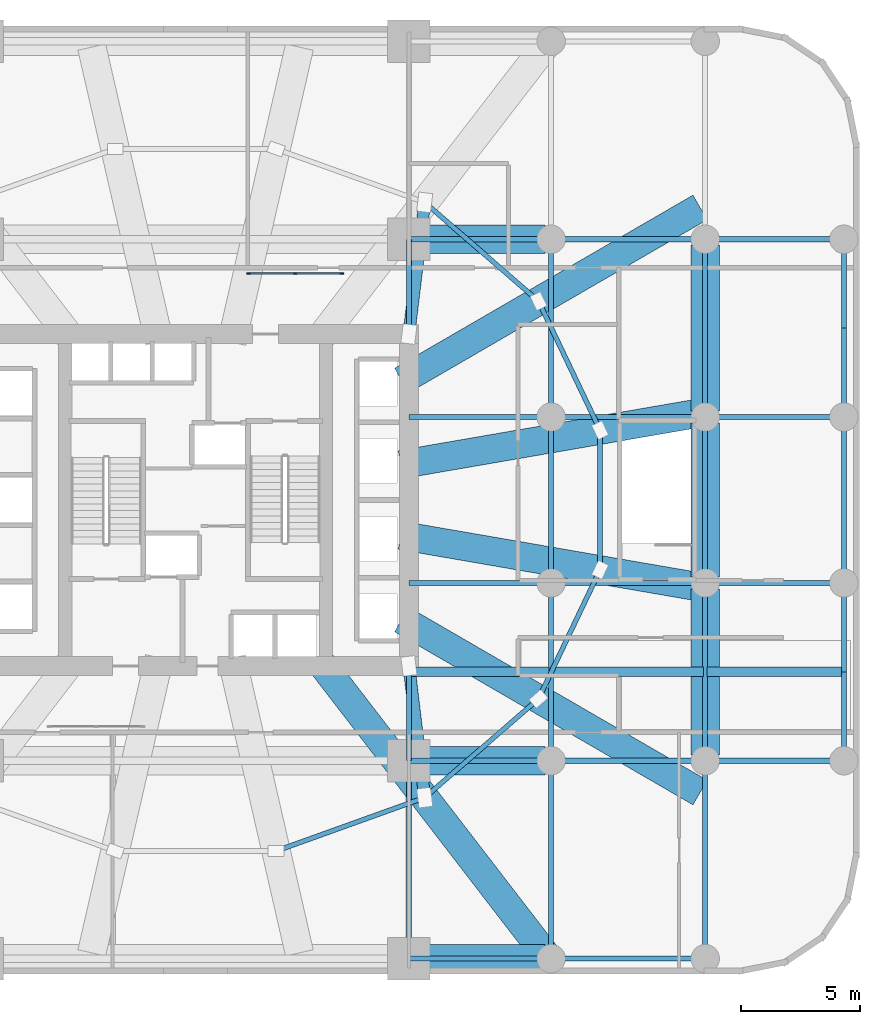
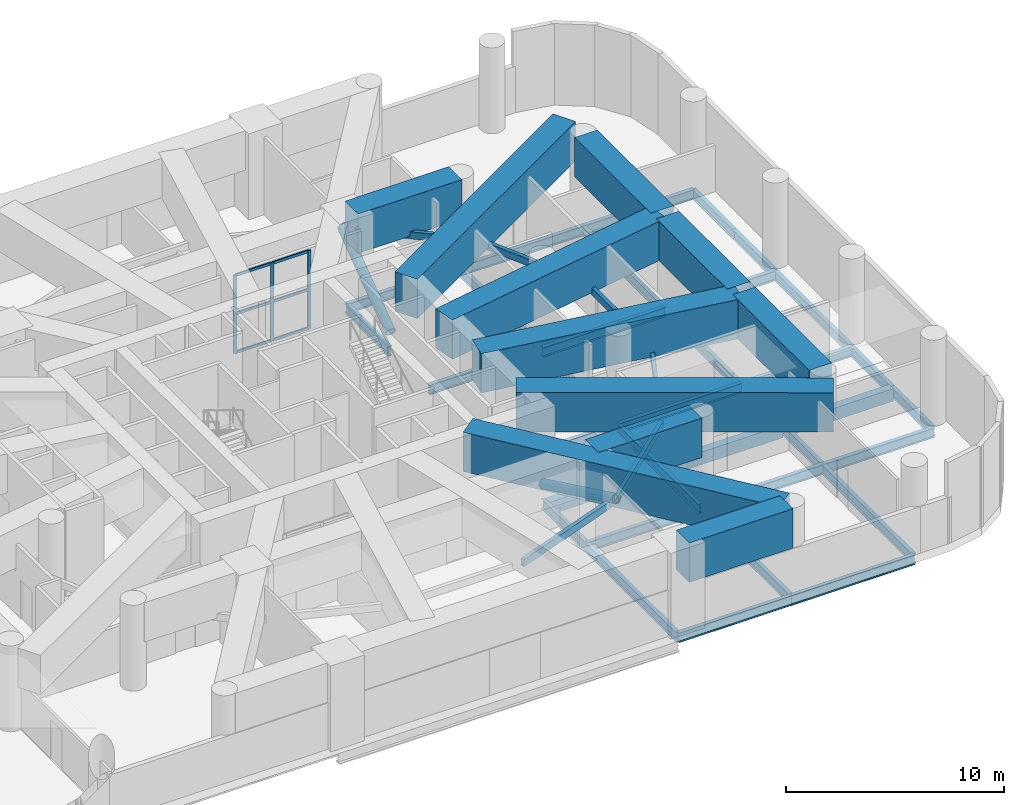
# One storey, part 4 of 10: 44 beams, 17 members, 1 element without a shape of its own.
"""IFC4 building model written with IfcOpenShell, lengths in metres."""

from ifc_helpers import new_model, si_unit, direction, frame, origin, origin_2d, place, context, subcontext, project, spatial, rectangle, hollow_rectangle, hollow_circle, i_section, extrude, material, material_profile, profile_set, type_object, element, aggregate, save


model = new_model("IFC4")

# Units and contexts
model_context = context("Model", 3, precision=1e-05, world=origin(), true_north=direction((0.0, 1.0)))
body_context = subcontext(model_context, "Body", "Model", "MODEL_VIEW")
ifc_project = project(units=[si_unit("LENGTHUNIT", "METRE"), si_unit("AREAUNIT", "SQUARE_METRE"), si_unit("VOLUMEUNIT", "CUBIC_METRE"), si_unit("PLANEANGLEUNIT", "RADIAN"), si_unit("MASSUNIT", "GRAM", prefix="KILO")], contexts=[model_context])

# Site, building, storey
site_placement = place(None, origin())
site = spatial("IfcSite", under=ifc_project, at=site_placement, CompositionType="ELEMENT")
building_placement = place(site_placement, origin())
building = spatial("IfcBuilding", under=site, at=building_placement, Name="Veldorim Arch Residences", CompositionType="ELEMENT")
storey_placement = place(building_placement, frame((0.0, 0.0, 20.0)))
storey = spatial("IfcBuildingStorey", under=building, at=storey_placement, Name="L05", CompositionType="ELEMENT", Elevation=20.0)

# Members
ifc_material_1 = material(Name="Steel S460", Category="steel")
ifc_material_profile_1 = material_profile(ifc_material_1, hollow_circle(Radius=0.25390625, WallThickness=0.034912109375, at=origin_2d()), Name="CHS508x35")
ifc_profile_set_1 = profile_set([ifc_material_profile_1], Name="Steel S460")
member_type_1 = type_object("IfcMemberType", Name="Crown Diagrid CHS508x35", PredefinedType="BRACE", material=ifc_profile_set_1)
for number, where, z_axis, x_axis, name in (
    (1, (41.0, 17.0, 0.35009765625), (0.110259508846, -0.918318032312, 0.380177369446), (0.992868990307, 0.119210603917, 0.0), "L05 corner transfer compression strut 02"),
    (2, (41.0, 31.0, 0.35009765625), (0.110259508846, 0.918318032312, 0.380177369446), (-0.992868990307, 0.119210603917, 0.0), "L05 corner transfer compression strut 03"),
):
    element("IfcMember", number, at=place(storey_placement, frame(where, z_axis=z_axis, x_axis=x_axis)), inside=storey, type_object=member_type_1, Name=name, PredefinedType="BRACE", context=body_context, shape_type="SweptSolid", body=[
        extrude(hollow_circle(Radius=0.25390625, WallThickness=0.034912109375, at=origin_2d()), origin(), (0.0, 0.0, 1.0), 6.04931640625),
    ])

# Curtain wall, members
ifc_material_2 = material(Name="Aluminium", Category="aluminium")
curtain_wall_type = type_object("IfcCurtainWallType", Name="Crown Faceted Fritted Laminated Curtain Wall", PredefinedType="NOTDEFINED", material=ifc_material_2)
curtain_wall_placement = place(storey_placement, origin())
curtain_wall = element("IfcCurtainWall", 3, at=curtain_wall_placement, inside=storey, type_object=curtain_wall_type, Name="L05 N arch bridge clerestory curtain wall", PredefinedType="NOTDEFINED")
ifc_material_3 = material(Name="Aluminium", Category="aluminium")
ifc_material_profile_2 = material_profile(ifc_material_3, rectangle(XDim=0.070068359375, YDim=0.169921875, at=origin_2d()), Name="ALU_MUL_70x170")
ifc_profile_set_2 = profile_set([ifc_material_profile_2], Name="Aluminium")
member_type_2 = type_object("IfcMemberType", Name="Crown Faceted Fritted Laminated Curtain Wall Mullion 70x170", PredefinedType="MULLION", material=ifc_profile_set_2)
member_1_placement = place(storey_placement, frame((34.235107421875, 33.550048828125, 0.0), z_axis=(0.0, 0.0, 1.0), x_axis=(0.0, 1.0, 0.0)))
member_1 = element("IfcMember", 4, at=member_1_placement, type_object=member_type_2, Name="CW-CRN mullion 1", PredefinedType="MULLION", context=body_context, shape_type="SweptSolid", body=[
    extrude(rectangle(XDim=0.070068359375, YDim=0.169921875, at=origin_2d()), origin(), (0.0, 0.0, 1.0), 4.3798828125),
])
member_2_placement = place(storey_placement, frame((36.199951171875, 33.550048828125, 0.0), z_axis=(0.0, 0.0, 1.0), x_axis=(0.0, 1.0, 0.0)))
member_2 = element("IfcMember", 5, at=member_2_placement, type_object=member_type_2, Name="CW-CRN mullion 2", PredefinedType="MULLION", context=body_context, shape_type="SweptSolid", body=[
    extrude(rectangle(XDim=0.070068359375, YDim=0.169921875, at=origin_2d()), origin(), (0.0, 0.0, 1.0), 4.3798828125),
])
member_3_placement = place(storey_placement, frame((38.1650390625, 33.550048828125, 0.0), z_axis=(0.0, 0.0, 1.0), x_axis=(0.0, 1.0, 0.0)))
member_3 = element("IfcMember", 6, at=member_3_placement, type_object=member_type_2, Name="CW-CRN mullion 3", PredefinedType="MULLION", context=body_context, shape_type="SweptSolid", body=[
    extrude(rectangle(XDim=0.070068359375, YDim=0.169921875, at=origin_2d()), origin(), (0.0, 0.0, 1.0), 4.3798828125),
])
ifc_material_4 = material(Name="Aluminium", Category="aluminium")
ifc_material_profile_3 = material_profile(ifc_material_4, rectangle(XDim=0.070068359375, YDim=0.14990234375, at=origin_2d()), Name="ALU_TRN_70x150")
ifc_profile_set_3 = profile_set([ifc_material_profile_3], Name="Aluminium")
member_type_3 = type_object("IfcMemberType", Name="Crown Faceted Fritted Laminated Curtain Wall Transom 70x150", PredefinedType="USERDEFINED", material=ifc_profile_set_3)
member_4_placement = place(storey_placement, frame((34.27001953125, 33.550048828125, 0.034912109375), z_axis=(1.0, 0.0, 0.0), x_axis=(0.0, 1.0, 0.0)))
member_4 = element("IfcMember", 7, at=member_4_placement, type_object=member_type_3, Name="CW-CRN transom 1.1", ObjectType="TRANSOM", PredefinedType="USERDEFINED", context=body_context, shape_type="SweptSolid", body=[
    extrude(rectangle(XDim=0.070068359375, YDim=0.14990234375, at=origin_2d()), origin(), (0.0, 0.0, 1.0), 1.89501953125),
])
member_5_placement = place(storey_placement, frame((34.27001953125, 33.550048828125, 2.18994140625), z_axis=(1.0, 0.0, 0.0), x_axis=(0.0, 1.0, 0.0)))
member_5 = element("IfcMember", 8, at=member_5_placement, type_object=member_type_3, Name="CW-CRN transom 1.2", ObjectType="TRANSOM", PredefinedType="USERDEFINED", context=body_context, shape_type="SweptSolid", body=[
    extrude(rectangle(XDim=0.070068359375, YDim=0.14990234375, at=origin_2d()), origin(), (0.0, 0.0, 1.0), 1.89501953125),
])
member_6_placement = place(storey_placement, frame((34.27001953125, 33.550048828125, 4.344970703125), z_axis=(1.0, 0.0, 0.0), x_axis=(0.0, 1.0, 0.0)))
member_6 = element("IfcMember", 9, at=member_6_placement, type_object=member_type_3, Name="CW-CRN transom 1.3", ObjectType="TRANSOM", PredefinedType="USERDEFINED", context=body_context, shape_type="SweptSolid", body=[
    extrude(rectangle(XDim=0.070068359375, YDim=0.14990234375, at=origin_2d()), origin(), (0.0, 0.0, 1.0), 1.89501953125),
])
member_7_placement = place(storey_placement, frame((36.235107421875, 33.550048828125, 0.034912109375), z_axis=(1.0, 0.0, 0.0), x_axis=(0.0, 1.0, 0.0)))
member_7 = element("IfcMember", 10, at=member_7_placement, type_object=member_type_3, Name="CW-CRN transom 2.1", ObjectType="TRANSOM", PredefinedType="USERDEFINED", context=body_context, shape_type="SweptSolid", body=[
    extrude(rectangle(XDim=0.070068359375, YDim=0.14990234375, at=origin_2d()), origin(), (0.0, 0.0, 1.0), 1.894775390625),
])
member_8_placement = place(storey_placement, frame((36.235107421875, 33.550048828125, 2.18994140625), z_axis=(1.0, 0.0, 0.0), x_axis=(0.0, 1.0, 0.0)))
member_8 = element("IfcMember", 11, at=member_8_placement, type_object=member_type_3, Name="CW-CRN transom 2.2", ObjectType="TRANSOM", PredefinedType="USERDEFINED", context=body_context, shape_type="SweptSolid", body=[
    extrude(rectangle(XDim=0.070068359375, YDim=0.14990234375, at=origin_2d()), origin(), (0.0, 0.0, 1.0), 1.894775390625),
])
member_9_placement = place(storey_placement, frame((36.235107421875, 33.550048828125, 4.344970703125), z_axis=(1.0, 0.0, 0.0), x_axis=(0.0, 1.0, 0.0)))
member_9 = element("IfcMember", 12, at=member_9_placement, type_object=member_type_3, Name="CW-CRN transom 2.3", ObjectType="TRANSOM", PredefinedType="USERDEFINED", context=body_context, shape_type="SweptSolid", body=[
    extrude(rectangle(XDim=0.070068359375, YDim=0.14990234375, at=origin_2d()), origin(), (0.0, 0.0, 1.0), 1.894775390625),
])
aggregate(curtain_wall, [member_1, member_2, member_3, member_4, member_5, member_6, member_7, member_8, member_9])

# Beams
ifc_material_5 = material(Name="Concrete C50/60", Category="concrete")
ifc_material_profile_4 = material_profile(ifc_material_5, rectangle(XDim=0.39990234375, YDim=0.699951171875, at=origin_2d()), Name="RC_RECT_400x700")
ifc_profile_set_4 = profile_set([ifc_material_profile_4], Name="Concrete C50/60")
beam_type_1 = type_object("IfcBeamType", Name="Reinforced Concrete Lintel RC_RECT_400x700", PredefinedType="LINTEL", material=ifc_profile_set_4)
beam_1_placement = place(storey_placement, frame((41.080078125, 16.75, -0.800048828125), z_axis=(1.0, 0.0, 0.0), x_axis=(0.0, 1.0, 0.0)))
element("IfcBeam", 13, at=beam_1_placement, inside=storey, type_object=beam_type_1, Name="L05 clinic riser header beam 04", PredefinedType="LINTEL", context=body_context, shape_type="SweptSolid", body=[
    extrude(rectangle(XDim=0.39990234375, YDim=0.699951171875, at=origin_2d()), origin(), (0.0, 0.0, 1.0), 5.83984375),
])
beam_2_placement = place(storey_placement, frame((47.080078125, 16.75, -0.800048828125), z_axis=(1.0, 0.0, 0.0), x_axis=(0.0, 1.0, 0.0)))
element("IfcBeam", 14, at=beam_2_placement, inside=storey, type_object=beam_type_1, Name="L05 clinic riser header beam 05", PredefinedType="LINTEL", context=body_context, shape_type="SweptSolid", body=[
    extrude(rectangle(XDim=0.39990234375, YDim=0.699951171875, at=origin_2d()), origin(), (0.0, 0.0, 1.0), 6.33984375),
])
beam_3_placement = place(storey_placement, frame((53.580078125, 16.75, -0.800048828125), z_axis=(1.0, 0.0, 0.0), x_axis=(0.0, 1.0, 0.0)))
element("IfcBeam", 15, at=beam_3_placement, inside=storey, type_object=beam_type_1, Name="L05 clinic riser header beam 06", PredefinedType="LINTEL", context=body_context, shape_type="SweptSolid", body=[
    extrude(rectangle(XDim=0.39990234375, YDim=0.699951171875, at=origin_2d()), origin(), (0.0, 0.0, 1.0), 5.68994140625),
])
ifc_material_6 = material(Name="Concrete C60/75", Category="concrete")
ifc_material_profile_5 = material_profile(ifc_material_6, rectangle(XDim=1.199951171875, YDim=2.199951171875, at=origin_2d()), Name="RC_RECT_1200x2200")
ifc_profile_set_5 = profile_set([ifc_material_profile_5], Name="Concrete C60/75")
beam_type_2 = type_object("IfcBeamType", Name="Reinforced Concrete TRANSFER GIRDER RC_RECT_1200x2200", PredefinedType="USERDEFINED", material=ifc_profile_set_5)
for number, where, z_axis, x_axis, name in (
    (16, (41.25, 4.64990234375, 3.699951171875), (1.0, 0.0, 0.0), (0.0, 1.0, 0.0), "L05 primary east-west transfer girder Y=4.65 E"),
    (17, (41.25, 13.0, 3.699951171875), (1.0, 0.0, 0.0), (0.0, 1.0, 0.0), "L05 primary east-west transfer girder Y=13.00 E"),
    (18, (41.25, 35.0, 3.699951171875), (1.0, 0.0, 0.0), (0.0, 1.0, 0.0), "L05 primary east-west transfer girder Y=35.00 E"),
):
    element("IfcBeam", number, at=place(storey_placement, frame(where, z_axis=z_axis, x_axis=x_axis)), inside=storey, type_object=beam_type_2, Name=name, ObjectType="TRANSFER GIRDER", PredefinedType="USERDEFINED", context=body_context, shape_type="SweptSolid", body=[
        extrude(rectangle(XDim=1.199951171875, YDim=2.199951171875, at=origin_2d()), origin(), (0.0, 0.0, 1.0), 5.5),
    ])
beam_4_placement = place(storey_placement, frame((53.5, 13.25, 3.699951171875), z_axis=(0.0, 1.0, 0.0), x_axis=(-1.0, 0.0, 0.0)))
element("IfcBeam", 19, at=beam_4_placement, inside=storey, type_object=beam_type_2, Name="L05 primary north-south transfer girder X=53.5 S", ObjectType="TRANSFER GIRDER", PredefinedType="USERDEFINED", context=body_context, shape_type="SweptSolid", body=[
    extrude(rectangle(XDim=1.199951171875, YDim=2.199951171875, at=origin_2d()), origin(), (0.0, 0.0, 1.0), 7.0),
])
beam_5_placement = place(storey_placement, frame((53.5, 20.75, 3.699951171875), z_axis=(0.0, 1.0, 0.0), x_axis=(-1.0, 0.0, 0.0)))
element("IfcBeam", 20, at=beam_5_placement, inside=storey, type_object=beam_type_2, Name="L05 primary north-south transfer girder X=53.5 M", ObjectType="TRANSFER GIRDER", PredefinedType="USERDEFINED", context=body_context, shape_type="SweptSolid", body=[
    extrude(rectangle(XDim=1.199951171875, YDim=2.199951171875, at=origin_2d()), origin(), (0.0, 0.0, 1.0), 6.5),
])
beam_6_placement = place(storey_placement, frame((53.5, 27.75, 3.699951171875), z_axis=(0.0, 1.0, 0.0), x_axis=(-1.0, 0.0, 0.0)))
element("IfcBeam", 21, at=beam_6_placement, inside=storey, type_object=beam_type_2, Name="L05 primary north-south transfer girder X=53.5 N", ObjectType="TRANSFER GIRDER", PredefinedType="USERDEFINED", context=body_context, shape_type="SweptSolid", body=[
    extrude(rectangle(XDim=1.199951171875, YDim=2.199951171875, at=origin_2d()), origin(), (0.0, 0.0, 1.0), 7.0),
])
beam_7_placement = place(storey_placement, frame((40.655029296875, 25.494140625, 3.699951171875), z_axis=(0.985428897268, 0.170087884427, 0.0), x_axis=(-0.170087884427, 0.985428897268, 0.0)))
element("IfcBeam", 22, at=beam_7_placement, inside=storey, type_object=beam_type_2, Name="L05 radial transfer girder 01", ObjectType="TRANSFER GIRDER", PredefinedType="USERDEFINED", context=body_context, shape_type="SweptSolid", body=[
    extrude(rectangle(XDim=1.199951171875, YDim=2.199951171875, at=origin_2d()), origin(), (0.0, 0.0, 1.0), 12.784912109375),
])
beam_8_placement = place(storey_placement, frame((40.697265625, 29.043212890625, 3.699951171875), z_axis=(0.865091774867, 0.501613617296, 0.0), x_axis=(-0.501613617296, 0.865091774867, 0.0)))
element("IfcBeam", 23, at=beam_8_placement, inside=storey, type_object=beam_type_2, Name="L05 radial transfer girder 02", ObjectType="TRANSFER GIRDER", PredefinedType="USERDEFINED", context=body_context, shape_type="SweptSolid", body=[
    extrude(rectangle(XDim=1.199951171875, YDim=2.199951171875, at=origin_2d()), origin(), (0.0, 0.0, 1.0), 14.54931640625),
])
beam_9_placement = place(storey_placement, frame((37.17626953125, 17.27734375, 3.699951171875), z_axis=(0.610067218595, -0.792349663214, 0.0), x_axis=(0.792349663214, 0.610067218595, 0.0)))
element("IfcBeam", 24, at=beam_9_placement, inside=storey, type_object=beam_type_2, Name="L05 radial transfer girder 14", ObjectType="TRANSFER GIRDER", PredefinedType="USERDEFINED", context=body_context, shape_type="SweptSolid", body=[
    extrude(rectangle(XDim=1.199951171875, YDim=2.199951171875, at=origin_2d()), origin(), (0.0, 0.0, 1.0), 15.6865234375),
])
beam_10_placement = place(storey_placement, frame((40.697265625, 18.956787109375, 3.699951171875), z_axis=(0.865091774867, -0.501613617296, 0.0), x_axis=(0.501613617296, 0.865091774867, 0.0)))
element("IfcBeam", 25, at=beam_10_placement, inside=storey, type_object=beam_type_2, Name="L05 radial transfer girder 15", ObjectType="TRANSFER GIRDER", PredefinedType="USERDEFINED", context=body_context, shape_type="SweptSolid", body=[
    extrude(rectangle(XDim=1.199951171875, YDim=2.199951171875, at=origin_2d()), origin(), (0.0, 0.0, 1.0), 14.54931640625),
])
beam_11_placement = place(storey_placement, frame((40.655029296875, 22.505859375, 3.699951171875), z_axis=(0.985428897268, -0.170087884427, 0.0), x_axis=(0.170087884427, 0.985428897268, 0.0)))
element("IfcBeam", 26, at=beam_11_placement, inside=storey, type_object=beam_type_2, Name="L05 radial transfer girder 16", ObjectType="TRANSFER GIRDER", PredefinedType="USERDEFINED", context=body_context, shape_type="SweptSolid", body=[
    extrude(rectangle(XDim=1.199951171875, YDim=2.199951171875, at=origin_2d()), origin(), (0.0, 0.0, 1.0), 12.784912109375),
])
ifc_material_7 = material(Name="Steel S355", Category="steel")
ifc_material_profile_6 = material_profile(ifc_material_7, i_section(OverallWidth=0.2099609375, OverallDepth=0.53662109375, WebThickness=0.0107421875, FlangeThickness=0.017333984375, at=origin_2d()), Name="UB533x210x101")
ifc_profile_set_6 = profile_set([ifc_material_profile_6], Name="Steel S355")
beam_type_3 = type_object("IfcBeamType", Name="Structural Steel Beam UB533x210x101", PredefinedType="BEAM", material=ifc_profile_set_6)
beam_12_placement = place(storey_placement, frame((41.0, 4.64990234375, -0.718505859375), z_axis=(0.0, 1.0, 0.0), x_axis=(-1.0, 0.0, 0.0)))
element("IfcBeam", 27, at=beam_12_placement, inside=storey, type_object=beam_type_3, Name="L05 north-south floor beam (X=41.0, 4.7-13.0)", PredefinedType="BEAM", context=body_context, shape_type="SweptSolid", body=[
    extrude(i_section(OverallWidth=0.2099609375, OverallDepth=0.53662109375, WebThickness=0.0107421875, FlangeThickness=0.017333984375, at=origin_2d()), origin(), (0.0, 0.0, 1.0), 8.35009765625),
])
for number, where, z_axis, x_axis, name in (
    (28, (41.0, 13.0, -0.718505859375), (0.0, 1.0, 0.0), (-1.0, 0.0, 0.0), "L05 north-south floor beam (X=41.0, 13.0-17.0)"),
    (29, (41.0, 31.0, -0.718505859375), (0.0, 1.0, 0.0), (-1.0, 0.0, 0.0), "L05 north-south floor beam (X=41.0, 31.0-35.0)"),
):
    element("IfcBeam", number, at=place(storey_placement, frame(where, z_axis=z_axis, x_axis=x_axis)), inside=storey, type_object=beam_type_3, Name=name, PredefinedType="BEAM", context=body_context, shape_type="SweptSolid", body=[
        extrude(i_section(OverallWidth=0.2099609375, OverallDepth=0.53662109375, WebThickness=0.0107421875, FlangeThickness=0.017333984375, at=origin_2d()), origin(), (0.0, 0.0, 1.0), 4.0),
    ])
beam_13_placement = place(storey_placement, frame((47.0, 4.64990234375, -0.718505859375), z_axis=(0.0, 1.0, 0.0), x_axis=(-1.0, 0.0, 0.0)))
element("IfcBeam", 30, at=beam_13_placement, inside=storey, type_object=beam_type_3, Name="L05 north-south floor beam (X=47.0, 4.7-13.0)", PredefinedType="BEAM", context=body_context, shape_type="SweptSolid", body=[
    extrude(i_section(OverallWidth=0.2099609375, OverallDepth=0.53662109375, WebThickness=0.0107421875, FlangeThickness=0.017333984375, at=origin_2d()), origin(), (0.0, 0.0, 1.0), 8.35009765625),
])
beam_14_placement = place(storey_placement, frame((47.0, 13.0, -0.718505859375), z_axis=(0.0, 1.0, 0.0), x_axis=(-1.0, 0.0, 0.0)))
element("IfcBeam", 31, at=beam_14_placement, inside=storey, type_object=beam_type_3, Name="L05 north-south floor beam (X=47.0, 13.0-20.5)", PredefinedType="BEAM", context=body_context, shape_type="SweptSolid", body=[
    extrude(i_section(OverallWidth=0.2099609375, OverallDepth=0.53662109375, WebThickness=0.0107421875, FlangeThickness=0.017333984375, at=origin_2d()), origin(), (0.0, 0.0, 1.0), 7.5),
])
beam_15_placement = place(storey_placement, frame((47.0, 20.5, -0.718505859375), z_axis=(0.0, 1.0, 0.0), x_axis=(-1.0, 0.0, 0.0)))
element("IfcBeam", 32, at=beam_15_placement, inside=storey, type_object=beam_type_3, Name="L05 north-south floor beam (X=47.0, 20.5-27.5)", PredefinedType="BEAM", context=body_context, shape_type="SweptSolid", body=[
    extrude(i_section(OverallWidth=0.2099609375, OverallDepth=0.53662109375, WebThickness=0.0107421875, FlangeThickness=0.017333984375, at=origin_2d()), origin(), (0.0, 0.0, 1.0), 7.0),
])
beam_16_placement = place(storey_placement, frame((47.0, 27.5, -0.718505859375), z_axis=(0.0, 1.0, 0.0), x_axis=(-1.0, 0.0, 0.0)))
element("IfcBeam", 33, at=beam_16_placement, inside=storey, type_object=beam_type_3, Name="L05 north-south floor beam (X=47.0, 27.5-35.0)", PredefinedType="BEAM", context=body_context, shape_type="SweptSolid", body=[
    extrude(i_section(OverallWidth=0.2099609375, OverallDepth=0.53662109375, WebThickness=0.0107421875, FlangeThickness=0.017333984375, at=origin_2d()), origin(), (0.0, 0.0, 1.0), 7.5),
])
beam_17_placement = place(storey_placement, frame((53.5, 4.64990234375, -0.718505859375), z_axis=(0.0, 1.0, 0.0), x_axis=(-1.0, 0.0, 0.0)))
element("IfcBeam", 34, at=beam_17_placement, inside=storey, type_object=beam_type_3, Name="L05 north-south floor beam (X=53.5, 4.7-13.0)", PredefinedType="BEAM", context=body_context, shape_type="SweptSolid", body=[
    extrude(i_section(OverallWidth=0.2099609375, OverallDepth=0.53662109375, WebThickness=0.0107421875, FlangeThickness=0.017333984375, at=origin_2d()), origin(), (0.0, 0.0, 1.0), 8.35009765625),
])
beam_18_placement = place(storey_placement, frame((53.5, 13.0, -0.718505859375), z_axis=(0.0, 1.0, 0.0), x_axis=(-1.0, 0.0, 0.0)))
element("IfcBeam", 35, at=beam_18_placement, inside=storey, type_object=beam_type_3, Name="L05 north-south floor beam (X=53.5, 13.0-20.5)", PredefinedType="BEAM", context=body_context, shape_type="SweptSolid", body=[
    extrude(i_section(OverallWidth=0.2099609375, OverallDepth=0.53662109375, WebThickness=0.0107421875, FlangeThickness=0.017333984375, at=origin_2d()), origin(), (0.0, 0.0, 1.0), 7.5),
])
beam_19_placement = place(storey_placement, frame((53.5, 20.5, -0.718505859375), z_axis=(0.0, 1.0, 0.0), x_axis=(-1.0, 0.0, 0.0)))
element("IfcBeam", 36, at=beam_19_placement, inside=storey, type_object=beam_type_3, Name="L05 north-south floor beam (X=53.5, 20.5-27.5)", PredefinedType="BEAM", context=body_context, shape_type="SweptSolid", body=[
    extrude(i_section(OverallWidth=0.2099609375, OverallDepth=0.53662109375, WebThickness=0.0107421875, FlangeThickness=0.017333984375, at=origin_2d()), origin(), (0.0, 0.0, 1.0), 7.0),
])
beam_20_placement = place(storey_placement, frame((53.5, 27.5, -0.718505859375), z_axis=(0.0, 1.0, 0.0), x_axis=(-1.0, 0.0, 0.0)))
element("IfcBeam", 37, at=beam_20_placement, inside=storey, type_object=beam_type_3, Name="L05 north-south floor beam (X=53.5, 27.5-35.0)", PredefinedType="BEAM", context=body_context, shape_type="SweptSolid", body=[
    extrude(i_section(OverallWidth=0.2099609375, OverallDepth=0.53662109375, WebThickness=0.0107421875, FlangeThickness=0.017333984375, at=origin_2d()), origin(), (0.0, 0.0, 1.0), 7.5),
])
for number, where, z_axis, x_axis, name in (
    (38, (59.35009765625, 13.0, -0.718505859375), (0.0, 1.0, 0.0), (-1.0, 0.0, 0.0), "L05 north-south floor beam (X=59.4, 13.0-16.8)"),
    (39, (59.35009765625, 16.75, -0.718505859375), (0.0, 1.0, 0.0), (-1.0, 0.0, 0.0), "L05 north-south floor beam (X=59.4, 16.8-20.5)"),
):
    element("IfcBeam", number, at=place(storey_placement, frame(where, z_axis=z_axis, x_axis=x_axis)), inside=storey, type_object=beam_type_3, Name=name, PredefinedType="BEAM", context=body_context, shape_type="SweptSolid", body=[
        extrude(i_section(OverallWidth=0.2099609375, OverallDepth=0.53662109375, WebThickness=0.0107421875, FlangeThickness=0.017333984375, at=origin_2d()), origin(), (0.0, 0.0, 1.0), 3.75),
    ])
beam_21_placement = place(storey_placement, frame((59.35009765625, 20.5, -0.718505859375), z_axis=(0.0, 1.0, 0.0), x_axis=(-1.0, 0.0, 0.0)))
element("IfcBeam", 40, at=beam_21_placement, inside=storey, type_object=beam_type_3, Name="L05 north-south floor beam (X=59.4, 20.5-27.5)", PredefinedType="BEAM", context=body_context, shape_type="SweptSolid", body=[
    extrude(i_section(OverallWidth=0.2099609375, OverallDepth=0.53662109375, WebThickness=0.0107421875, FlangeThickness=0.017333984375, at=origin_2d()), origin(), (0.0, 0.0, 1.0), 7.0),
])
for number, where, z_axis, x_axis, name in (
    (41, (59.35009765625, 27.5, -0.718505859375), (0.0, 1.0, 0.0), (-1.0, 0.0, 0.0), "L05 north-south floor beam (X=59.4, 27.5-31.2)"),
    (42, (59.35009765625, 31.25, -0.718505859375), (0.0, 1.0, 0.0), (-1.0, 0.0, 0.0), "L05 north-south floor beam (X=59.4, 31.2-35.0)"),
):
    element("IfcBeam", number, at=place(storey_placement, frame(where, z_axis=z_axis, x_axis=x_axis)), inside=storey, type_object=beam_type_3, Name=name, PredefinedType="BEAM", context=body_context, shape_type="SweptSolid", body=[
        extrude(i_section(OverallWidth=0.2099609375, OverallDepth=0.53662109375, WebThickness=0.0107421875, FlangeThickness=0.017333984375, at=origin_2d()), origin(), (0.0, 0.0, 1.0), 3.75),
    ])
ifc_material_8 = material(Name="Steel S355", Category="steel")
ifc_material_profile_7 = material_profile(ifc_material_8, i_section(OverallWidth=0.2119140625, OverallDepth=0.54443359375, WebThickness=0.0126953125, FlangeThickness=0.021240234375, at=origin_2d()), Name="UB533x210x122")
ifc_profile_set_7 = profile_set([ifc_material_profile_7], Name="Steel S355")
beam_type_4 = type_object("IfcBeamType", Name="Structural Steel Beam UB533x210x122", PredefinedType="BEAM", material=ifc_profile_set_7)
beam_22_placement = place(storey_placement, frame((41.0, 4.64990234375, -0.72216796875), z_axis=(1.0, 0.0, 0.0), x_axis=(0.0, 1.0, 0.0)))
element("IfcBeam", 43, at=beam_22_placement, inside=storey, type_object=beam_type_4, Name="L05 east-west floor beam (41.0-47.0, Y=4.7)", PredefinedType="BEAM", context=body_context, shape_type="SweptSolid", body=[
    extrude(i_section(OverallWidth=0.2119140625, OverallDepth=0.54443359375, WebThickness=0.0126953125, FlangeThickness=0.021240234375, at=origin_2d()), origin(), (0.0, 0.0, 1.0), 6.0),
])
beam_23_placement = place(storey_placement, frame((47.0, 4.64990234375, -0.72216796875), z_axis=(1.0, 0.0, 0.0), x_axis=(0.0, 1.0, 0.0)))
element("IfcBeam", 44, at=beam_23_placement, inside=storey, type_object=beam_type_4, Name="L05 east-west floor beam (47.0-53.5, Y=4.7)", PredefinedType="BEAM", context=body_context, shape_type="SweptSolid", body=[
    extrude(i_section(OverallWidth=0.2119140625, OverallDepth=0.54443359375, WebThickness=0.0126953125, FlangeThickness=0.021240234375, at=origin_2d()), origin(), (0.0, 0.0, 1.0), 6.5),
])
beam_24_placement = place(storey_placement, frame((41.0, 13.0, -0.72216796875), z_axis=(1.0, 0.0, 0.0), x_axis=(0.0, 1.0, 0.0)))
element("IfcBeam", 45, at=beam_24_placement, inside=storey, type_object=beam_type_4, Name="L05 east-west floor beam (41.0-47.0, Y=13.0)", PredefinedType="BEAM", context=body_context, shape_type="SweptSolid", body=[
    extrude(i_section(OverallWidth=0.2119140625, OverallDepth=0.54443359375, WebThickness=0.0126953125, FlangeThickness=0.021240234375, at=origin_2d()), origin(), (0.0, 0.0, 1.0), 6.0),
])
beam_25_placement = place(storey_placement, frame((47.0, 13.0, -0.72216796875), z_axis=(1.0, 0.0, 0.0), x_axis=(0.0, 1.0, 0.0)))
element("IfcBeam", 46, at=beam_25_placement, inside=storey, type_object=beam_type_4, Name="L05 east-west floor beam (47.0-53.5, Y=13.0)", PredefinedType="BEAM", context=body_context, shape_type="SweptSolid", body=[
    extrude(i_section(OverallWidth=0.2119140625, OverallDepth=0.54443359375, WebThickness=0.0126953125, FlangeThickness=0.021240234375, at=origin_2d()), origin(), (0.0, 0.0, 1.0), 6.5),
])
beam_26_placement = place(storey_placement, frame((53.5, 13.0, -0.72216796875), z_axis=(1.0, 0.0, 0.0), x_axis=(0.0, 1.0, 0.0)))
element("IfcBeam", 47, at=beam_26_placement, inside=storey, type_object=beam_type_4, Name="L05 east-west floor beam (53.5-59.4, Y=13.0)", PredefinedType="BEAM", context=body_context, shape_type="SweptSolid", body=[
    extrude(i_section(OverallWidth=0.2119140625, OverallDepth=0.54443359375, WebThickness=0.0126953125, FlangeThickness=0.021240234375, at=origin_2d()), origin(), (0.0, 0.0, 1.0), 5.85009765625),
])
beam_27_placement = place(storey_placement, frame((41.0, 20.5, -0.72216796875), z_axis=(1.0, 0.0, 0.0), x_axis=(0.0, 1.0, 0.0)))
element("IfcBeam", 48, at=beam_27_placement, inside=storey, type_object=beam_type_4, Name="L05 east-west floor beam (41.0-47.0, Y=20.5)", PredefinedType="BEAM", context=body_context, shape_type="SweptSolid", body=[
    extrude(i_section(OverallWidth=0.2119140625, OverallDepth=0.54443359375, WebThickness=0.0126953125, FlangeThickness=0.021240234375, at=origin_2d()), origin(), (0.0, 0.0, 1.0), 6.0),
])
beam_28_placement = place(storey_placement, frame((47.0, 20.5, -0.72216796875), z_axis=(1.0, 0.0, 0.0), x_axis=(0.0, 1.0, 0.0)))
element("IfcBeam", 49, at=beam_28_placement, inside=storey, type_object=beam_type_4, Name="L05 east-west floor beam (47.0-53.5, Y=20.5)", PredefinedType="BEAM", context=body_context, shape_type="SweptSolid", body=[
    extrude(i_section(OverallWidth=0.2119140625, OverallDepth=0.54443359375, WebThickness=0.0126953125, FlangeThickness=0.021240234375, at=origin_2d()), origin(), (0.0, 0.0, 1.0), 6.5),
])
beam_29_placement = place(storey_placement, frame((53.5, 20.5, -0.72216796875), z_axis=(1.0, 0.0, 0.0), x_axis=(0.0, 1.0, 0.0)))
element("IfcBeam", 50, at=beam_29_placement, inside=storey, type_object=beam_type_4, Name="L05 east-west floor beam (53.5-59.4, Y=20.5)", PredefinedType="BEAM", context=body_context, shape_type="SweptSolid", body=[
    extrude(i_section(OverallWidth=0.2119140625, OverallDepth=0.54443359375, WebThickness=0.0126953125, FlangeThickness=0.021240234375, at=origin_2d()), origin(), (0.0, 0.0, 1.0), 5.85009765625),
])
beam_30_placement = place(storey_placement, frame((41.0, 27.5, -0.72216796875), z_axis=(1.0, 0.0, 0.0), x_axis=(0.0, 1.0, 0.0)))
element("IfcBeam", 51, at=beam_30_placement, inside=storey, type_object=beam_type_4, Name="L05 east-west floor beam (41.0-47.0, Y=27.5)", PredefinedType="BEAM", context=body_context, shape_type="SweptSolid", body=[
    extrude(i_section(OverallWidth=0.2119140625, OverallDepth=0.54443359375, WebThickness=0.0126953125, FlangeThickness=0.021240234375, at=origin_2d()), origin(), (0.0, 0.0, 1.0), 6.0),
])
beam_31_placement = place(storey_placement, frame((47.0, 27.5, -0.72216796875), z_axis=(1.0, 0.0, 0.0), x_axis=(0.0, 1.0, 0.0)))
element("IfcBeam", 52, at=beam_31_placement, inside=storey, type_object=beam_type_4, Name="L05 east-west floor beam (47.0-53.5, Y=27.5)", PredefinedType="BEAM", context=body_context, shape_type="SweptSolid", body=[
    extrude(i_section(OverallWidth=0.2119140625, OverallDepth=0.54443359375, WebThickness=0.0126953125, FlangeThickness=0.021240234375, at=origin_2d()), origin(), (0.0, 0.0, 1.0), 6.5),
])
beam_32_placement = place(storey_placement, frame((53.5, 27.5, -0.72216796875), z_axis=(1.0, 0.0, 0.0), x_axis=(0.0, 1.0, 0.0)))
element("IfcBeam", 53, at=beam_32_placement, inside=storey, type_object=beam_type_4, Name="L05 east-west floor beam (53.5-59.4, Y=27.5)", PredefinedType="BEAM", context=body_context, shape_type="SweptSolid", body=[
    extrude(i_section(OverallWidth=0.2119140625, OverallDepth=0.54443359375, WebThickness=0.0126953125, FlangeThickness=0.021240234375, at=origin_2d()), origin(), (0.0, 0.0, 1.0), 5.85009765625),
])
beam_33_placement = place(storey_placement, frame((41.0, 35.0, -0.72216796875), z_axis=(1.0, 0.0, 0.0), x_axis=(0.0, 1.0, 0.0)))
element("IfcBeam", 54, at=beam_33_placement, inside=storey, type_object=beam_type_4, Name="L05 east-west floor beam (41.0-47.0, Y=35.0)", PredefinedType="BEAM", context=body_context, shape_type="SweptSolid", body=[
    extrude(i_section(OverallWidth=0.2119140625, OverallDepth=0.54443359375, WebThickness=0.0126953125, FlangeThickness=0.021240234375, at=origin_2d()), origin(), (0.0, 0.0, 1.0), 6.0),
])
beam_34_placement = place(storey_placement, frame((47.0, 35.0, -0.72216796875), z_axis=(1.0, 0.0, 0.0), x_axis=(0.0, 1.0, 0.0)))
element("IfcBeam", 55, at=beam_34_placement, inside=storey, type_object=beam_type_4, Name="L05 east-west floor beam (47.0-53.5, Y=35.0)", PredefinedType="BEAM", context=body_context, shape_type="SweptSolid", body=[
    extrude(i_section(OverallWidth=0.2119140625, OverallDepth=0.54443359375, WebThickness=0.0126953125, FlangeThickness=0.021240234375, at=origin_2d()), origin(), (0.0, 0.0, 1.0), 6.5),
])
beam_35_placement = place(storey_placement, frame((53.5, 35.0, -0.72216796875), z_axis=(1.0, 0.0, 0.0), x_axis=(0.0, 1.0, 0.0)))
element("IfcBeam", 56, at=beam_35_placement, inside=storey, type_object=beam_type_4, Name="L05 east-west floor beam (53.5-59.4, Y=35.0)", PredefinedType="BEAM", context=body_context, shape_type="SweptSolid", body=[
    extrude(i_section(OverallWidth=0.2119140625, OverallDepth=0.54443359375, WebThickness=0.0126953125, FlangeThickness=0.021240234375, at=origin_2d()), origin(), (0.0, 0.0, 1.0), 5.85009765625),
])

# Members
ifc_material_9 = material(Name="Steel S460", Category="steel")
ifc_material_profile_8 = material_profile(ifc_material_9, hollow_rectangle(XDim=0.199951171875, YDim=0.39990234375, WallThickness=0.01611328125, at=origin_2d()), Name="RHS400x200x16")
ifc_profile_set_8 = profile_set([ifc_material_profile_8], Name="Steel S460")
member_type_4 = type_object("IfcMemberType", Name="Truss Chord RHS400x200x16", PredefinedType="CHORD", material=ifc_profile_set_8)
member_10_placement = place(storey_placement, frame((49.065673828125, 26.94580078125, 2.64990234375), z_axis=(-0.430753562194, 0.902469594312, 0.0), x_axis=(-0.902469594312, -0.430753562194, 0.0)))
element("IfcMember", 57, at=member_10_placement, inside=storey, type_object=member_type_4, Name="L05 transfer ring tie chord 01", PredefinedType="CHORD", context=body_context, shape_type="SweptSolid", body=[
    extrude(hollow_rectangle(XDim=0.199951171875, YDim=0.39990234375, WallThickness=0.01611328125, at=origin_2d()), origin(), (0.0, 0.0, 1.0), 6.03173828125),
])
member_11_placement = place(storey_placement, frame((46.467529296875, 32.38916015625, 2.64990234375), z_axis=(-0.755256756497, 0.655429044035, 0.0), x_axis=(-0.655429044035, -0.755256756497, 0.0)))
element("IfcMember", 58, at=member_11_placement, inside=storey, type_object=member_type_4, Name="L05 transfer ring tie chord 02", PredefinedType="CHORD", context=body_context, shape_type="SweptSolid", body=[
    extrude(hollow_rectangle(XDim=0.199951171875, YDim=0.39990234375, WallThickness=0.01611328125, at=origin_2d()), origin(), (0.0, 0.0, 1.0), 6.356201171875),
])
member_12_placement = place(storey_placement, frame((35.39453125, 9.190185546875, 2.64990234375), z_axis=(0.941052127441, 0.338261575468, 0.0), x_axis=(-0.338261575468, 0.941052127441, 0.0)))
element("IfcMember", 59, at=member_12_placement, inside=storey, type_object=member_type_4, Name="L05 transfer ring tie chord 13", PredefinedType="CHORD", context=body_context, shape_type="SweptSolid", body=[
    extrude(hollow_rectangle(XDim=0.199951171875, YDim=0.39990234375, WallThickness=0.01611328125, at=origin_2d()), origin(), (0.0, 0.0, 1.0), 6.665283203125),
])
member_13_placement = place(storey_placement, frame((41.6669921875, 11.44482421875, 2.64990234375), z_axis=(0.755256756497, 0.655429044035, 0.0), x_axis=(-0.655429044035, 0.755256756497, 0.0)))
element("IfcMember", 60, at=member_13_placement, inside=storey, type_object=member_type_4, Name="L05 transfer ring tie chord 14", PredefinedType="CHORD", context=body_context, shape_type="SweptSolid", body=[
    extrude(hollow_rectangle(XDim=0.199951171875, YDim=0.39990234375, WallThickness=0.01611328125, at=origin_2d()), origin(), (0.0, 0.0, 1.0), 6.356201171875),
])
member_14_placement = place(storey_placement, frame((46.467529296875, 15.61083984375, 2.64990234375), z_axis=(0.430753562194, 0.902469594312, 0.0), x_axis=(-0.902469594312, 0.430753562194, 0.0)))
element("IfcMember", 61, at=member_14_placement, inside=storey, type_object=member_type_4, Name="L05 transfer ring tie chord 15", PredefinedType="CHORD", context=body_context, shape_type="SweptSolid", body=[
    extrude(hollow_rectangle(XDim=0.199951171875, YDim=0.39990234375, WallThickness=0.01611328125, at=origin_2d()), origin(), (0.0, 0.0, 1.0), 6.03173828125),
])
member_15_placement = place(storey_placement, frame((49.065673828125, 21.05419921875, 2.64990234375), z_axis=(0.0, 1.0, 0.0), x_axis=(-1.0, 0.0, 0.0)))
element("IfcMember", 62, at=member_15_placement, inside=storey, type_object=member_type_4, Name="L05 transfer ring tie chord 16", PredefinedType="CHORD", context=body_context, shape_type="SweptSolid", body=[
    extrude(hollow_rectangle(XDim=0.199951171875, YDim=0.39990234375, WallThickness=0.01611328125, at=origin_2d()), origin(), (0.0, 0.0, 1.0), 5.8916015625),
])

save(model, "model.ifc")
